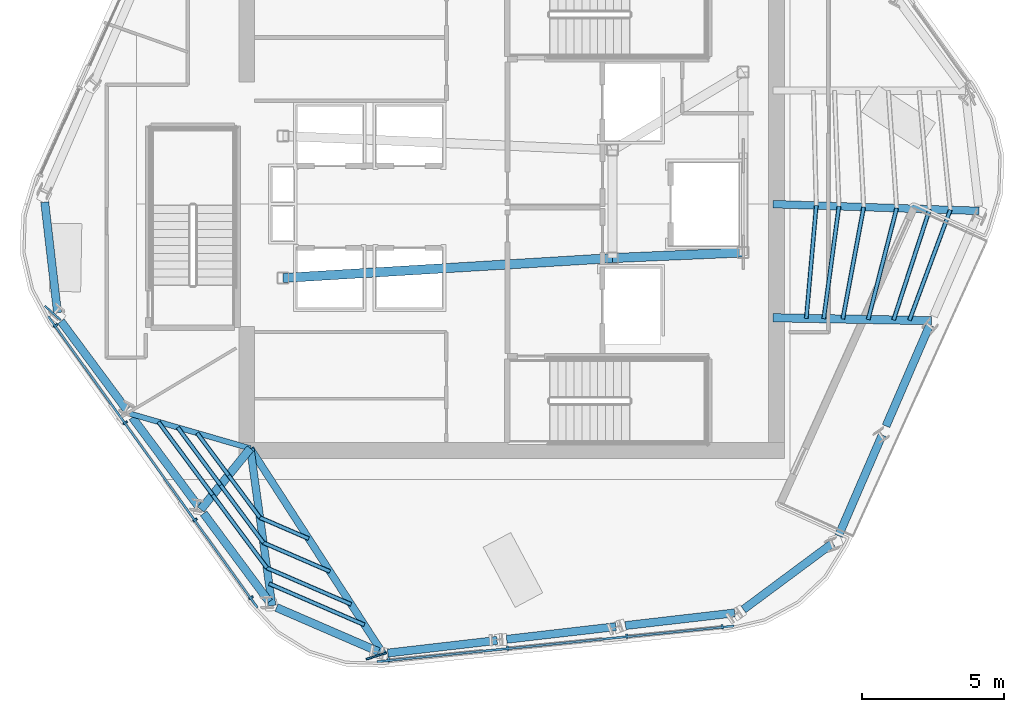
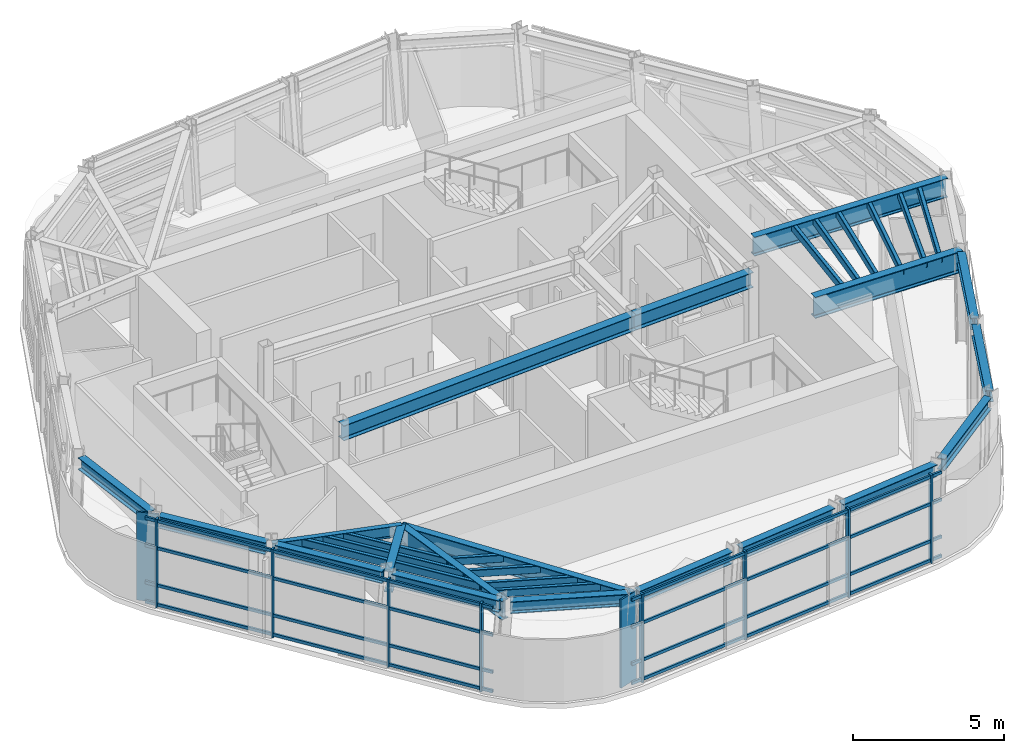
# One storey, part 2 of 12: 34 members, 19 beams, 2 elements without a shape of their own.
"""IFC4 building model written with IfcOpenShell, lengths in metres."""

import ifcopenshell
import ifcopenshell.guid

model = None  # the IFC model being written
_history = None  # IfcOwnerHistory: only IFC2X3 demands one
_inside = {}  # id of a spatial element -> (the spatial element, [elements in it])
_under = {}  # id of a project, library or spatial element -> (it, [spatial elements below it])
_declared = {}  # id of a project -> (the project, [libraries it declares])
_typed = {}  # id of a type object -> (the type object, [elements of that type])
_made_of = {}  # id of a material, layer set ... -> (it, [elements and type objects made of it])


def new_model(schema):
    """Start an empty IFC model of exactly this schema.

    Asked for "IFC4X3", IfcOpenShell would pick the latest addendum, in which some entities
    have other attributes; the version numbers below select the first issue.
    IFC2X3 requires an IfcOwnerHistory on every rooted entity: one is made here for all.
    """
    global model, _history
    if schema == "IFC4X3":
        model = ifcopenshell.file(schema_version=(4, 3, 0, 0))
    else:
        model = ifcopenshell.file(schema=schema)
    _inside.clear()
    _under.clear()
    _declared.clear()
    _typed.clear()
    _made_of.clear()
    _history = None
    if model.schema == "IFC2X3":
        org = make("IfcOrganization", Name="unknown")
        user = make(
            "IfcPersonAndOrganization",
            ThePerson=make("IfcPerson", FamilyName="unknown"),
            TheOrganization=org,
        )
        app = make(
            "IfcApplication",
            ApplicationDeveloper=org,
            Version="unknown",
            ApplicationFullName="unknown",
            ApplicationIdentifier="unknown",
        )
        _history = make(
            "IfcOwnerHistory",
            OwningUser=user,
            OwningApplication=app,
            ChangeAction="ADDED",
            CreationDate=0,
        )
    return model


def make(cls, **values):
    """One entity of the class cls with the attributes given. An attribute that is None is left unset."""
    return model.create_entity(
        cls, **{name: value for name, value in values.items() if value is not None}
    )


def rooted(cls, **values):
    """An entity with a GlobalId (a new one), such as an element, a storey or a relation."""
    return make(cls, GlobalId=ifcopenshell.guid.new(), OwnerHistory=_history, **values)


def si_unit(unit_type, name, prefix=None):
    """IfcSIUnit, for example si_unit("LENGTHUNIT", "METRE", prefix="MILLI")."""
    return make("IfcSIUnit", UnitType=unit_type, Prefix=prefix, Name=name)


def assignment(units):
    """IfcUnitAssignment: the units of a project."""
    return None if units is None else make("IfcUnitAssignment", Units=units)


def point(xyz):
    """IfcCartesianPoint."""
    return None if xyz is None else make("IfcCartesianPoint", Coordinates=xyz)


def direction(xyz):
    """IfcDirection."""
    return None if xyz is None else make("IfcDirection", DirectionRatios=xyz)


def frame(location, z_axis=None, x_axis=None):
    """IfcAxis2Placement3D, a coordinate frame: its origin and axes. An axis left out is left unset."""
    return make(
        "IfcAxis2Placement3D",
        Location=point(location),
        Axis=direction(z_axis),
        RefDirection=direction(x_axis),
    )


def frame_2d(location, x_axis=None):
    """IfcAxis2Placement2D, a coordinate frame in the plane: its origin and x axis."""
    return make(
        "IfcAxis2Placement2D", Location=point(location), RefDirection=direction(x_axis)
    )


def origin():
    """The frame at (0, 0, 0) with its axes left unset."""
    return frame((0.0, 0.0, 0.0))


def origin_2d():
    """The frame at (0, 0) in the plane with its x axis left unset."""
    return frame_2d((0.0, 0.0))


def place(relative_to, where):
    """IfcLocalPlacement: puts the frame where relative to a parent placement (None: the world)."""
    return make(
        "IfcLocalPlacement", PlacementRelTo=relative_to, RelativePlacement=where
    )


def context(
    kind, dimensions, precision=None, world=None, true_north=None, identifier=None
):
    """IfcGeometricRepresentationContext, for example the 3D "Model" context."""
    return make(
        "IfcGeometricRepresentationContext",
        ContextIdentifier=identifier,
        ContextType=kind,
        CoordinateSpaceDimension=dimensions,
        Precision=precision,
        WorldCoordinateSystem=world,
        TrueNorth=true_north,
    )


def subcontext(parent, identifier, kind, view, scale=None):
    """IfcGeometricRepresentationSubContext, for example "Body" below "Model"."""
    return make(
        "IfcGeometricRepresentationSubContext",
        ContextIdentifier=identifier,
        ContextType=kind,
        ParentContext=parent,
        TargetScale=scale,
        TargetView=view,
    )


def project(units=None, contexts=None):
    """IfcProject with its units and contexts."""
    return rooted(
        "IfcProject",
        Name="project",
        RepresentationContexts=contexts,
        UnitsInContext=assignment(units),
    )


def spatial(cls, under=None, at=None, **own):
    """A site, building, storey or space (cls), placed at a placement, below another one or the project."""
    s = rooted(cls, ObjectPlacement=at, **own)
    if under is not None:
        _under.setdefault(under.id(), (under, []))[1].append(s)
    return s


def profile(cls, at=None, kind="AREA", **sizes):
    """A parametric profile (cls). Its sizes go by their IFC names, for example OverallWidth=200.0."""
    return make(cls, ProfileType=kind, Position=at, **sizes)


def rectangle(**sizes):
    """IfcRectangleProfileDef."""
    return profile("IfcRectangleProfileDef", **sizes)


def hollow_rectangle(**sizes):
    """IfcRectangleHollowProfileDef."""
    return profile("IfcRectangleHollowProfileDef", **sizes)


def i_section(**sizes):
    """IfcIShapeProfileDef."""
    return profile("IfcIShapeProfileDef", **sizes)


def extrude(swept, where, along, depth):
    """IfcExtrudedAreaSolid: the profile swept, set in the frame where, extruded along a direction by depth."""
    return make(
        "IfcExtrudedAreaSolid",
        SweptArea=swept,
        Position=where,
        ExtrudedDirection=direction(along),
        Depth=depth,
    )


def shape(context_of_items, identifier, shape_type, items):
    """IfcShapeRepresentation: the items that make up one representation, for example the "Body"."""
    return make(
        "IfcShapeRepresentation",
        ContextOfItems=context_of_items,
        RepresentationIdentifier=identifier,
        RepresentationType=shape_type,
        Items=items,
    )


def material(Name=None, Category=None):
    """IfcMaterial."""
    return make("IfcMaterial", Name=Name, Category=Category)


def layer(
    of_material, thickness, ventilated=None, Name=None, Category=None, Priority=None
):
    """IfcMaterialLayer: one layer of a wall or slab, of a material (None: an air gap)."""
    return make(
        "IfcMaterialLayer",
        Material=of_material,
        LayerThickness=thickness,
        IsVentilated=ventilated,
        Name=Name,
        Category=Category,
        Priority=Priority,
    )


def layer_set(layers, Name=None):
    """IfcMaterialLayerSet."""
    return make("IfcMaterialLayerSet", MaterialLayers=layers, LayerSetName=Name)


def material_profile(
    of_material, cross_section, Name=None, Category=None, Priority=None
):
    """IfcMaterialProfile: a cross section and its material."""
    return make(
        "IfcMaterialProfile",
        Name=Name,
        Material=of_material,
        Profile=cross_section,
        Priority=Priority,
        Category=Category,
    )


def profile_set(profiles, Name=None, composite=None):
    """IfcMaterialProfileSet."""
    return make(
        "IfcMaterialProfileSet",
        Name=Name,
        MaterialProfiles=profiles,
        CompositeProfile=composite,
    )


def made_of(thing, what):
    """Note that an element or type object is made of a material, layer set ...; save() writes the relation."""
    if what is not None:
        _made_of.setdefault(what.id(), (what, []))[1].append(thing)
    return thing


def type_object(cls, material=None, **own):
    """A type object (cls), such as IfcWallType, which elements share."""
    return made_of(rooted(cls, **own), material)


def element(
    cls,
    number,
    at=None,
    inside=None,
    cuts=None,
    type_object=None,
    material=None,
    context=None,
    identifier="Body",
    shape_type=None,
    held_by="IfcProductDefinitionShape",
    body=None,
    shapes=None,
    **own,
):
    """One element of the class cls, such as IfcWall. Its Tag is "e" and its number.

    at: its placement. inside: the storey or other place that contains it. cuts: it is an
    opening in that element (IfcRelVoidsElement). A single representation is given by context,
    identifier, shape_type and body (its items); several are given by shapes. held_by: the class
    of the entity that holds the representations. save() writes the other relations.
    """
    e = rooted(cls, Tag="e%d" % number, ObjectPlacement=at, **own)
    if body is not None:
        shapes = [shape(context, identifier, shape_type, body)]
    if shapes is not None:
        e.Representation = make(held_by, Representations=shapes)
    if inside is not None:
        _inside.setdefault(inside.id(), (inside, []))[1].append(e)
    if cuts is not None:
        rooted(
            "IfcRelVoidsElement", RelatingBuildingElement=cuts, RelatedOpeningElement=e
        )
    if type_object is not None:
        _typed.setdefault(type_object.id(), (type_object, []))[1].append(e)
    return made_of(e, material)


def aggregate(whole, parts):
    """IfcRelAggregates: a whole, such as a stair, and the parts it consists of."""
    return rooted("IfcRelAggregates", RelatingObject=whole, RelatedObjects=parts)


def save(model, path):
    """Write the relations noted so far, then the file.

    IfcRelAggregates (storeys below a building ...), IfcRelContainedInSpatialStructure (elements
    in a storey), IfcRelDefinesByType, IfcRelAssociatesMaterial and IfcRelDeclares: one each for
    every whole, place, type object, material and project.
    """
    for whole, parts in _under.values():
        aggregate(whole, parts)
    for where, things in _inside.values():
        rooted(
            "IfcRelContainedInSpatialStructure",
            RelatedElements=things,
            RelatingStructure=where,
        )
    for kind, things in _typed.values():
        rooted("IfcRelDefinesByType", RelatedObjects=things, RelatingType=kind)
    for what, things in _made_of.values():
        rooted("IfcRelAssociatesMaterial", RelatedObjects=things, RelatingMaterial=what)
    for by, libraries in _declared.values():
        rooted("IfcRelDeclares", RelatingContext=by, RelatedDefinitions=libraries)
    model.write(path)


model = new_model("IFC4")

# Units and contexts
model_context = context("Model", 3, precision=1e-05, world=origin(), true_north=direction((0.0, 1.0)))
body_context = subcontext(model_context, "Body", "Model", "MODEL_VIEW")
ifc_project = project(units=[si_unit("LENGTHUNIT", "METRE"), si_unit("AREAUNIT", "SQUARE_METRE"), si_unit("VOLUMEUNIT", "CUBIC_METRE"), si_unit("PLANEANGLEUNIT", "RADIAN"), si_unit("MASSUNIT", "GRAM", prefix="KILO")], contexts=[model_context])

# Site, building, storey
site_placement = place(None, origin())
site = spatial("IfcSite", under=ifc_project, at=site_placement, CompositionType="ELEMENT")
building_placement = place(site_placement, origin())
building = spatial("IfcBuilding", under=site, at=building_placement, Name="Valkerne Bourse Tower", CompositionType="ELEMENT")
storey_placement = place(building_placement, frame((0.0, 0.0, 307.800048828125)))
storey = spatial("IfcBuildingStorey", under=building, at=storey_placement, Name="L78", CompositionType="ELEMENT", Elevation=307.800048828125)

# Beams
ifc_material_1 = material(Name="Steel ASTM A992", Category="steel")
ifc_material_profile_1 = material_profile(ifc_material_1, i_section(OverallWidth=0.284423828125, OverallDepth=0.47509765625, WebThickness=0.014892578125, FlangeThickness=0.02392578125, FilletRadius=0.017822265625, at=origin_2d()), Name="W18X106")
ifc_profile_set_1 = profile_set([ifc_material_profile_1], Name="Steel ASTM A992")
beam_type_1 = type_object("IfcBeamType", Name="BM-W18X106", PredefinedType="BEAM", material=ifc_profile_set_1)
beam_1_placement = place(storey_placement, frame((30.361572265625, 27.06884765625, 3.342529296875), z_axis=(0.114974356036, -0.993368460066, 0.0), x_axis=(0.993368460066, 0.114974356036, 0.0)))
element("IfcBeam", 1, at=beam_1_placement, inside=storey, type_object=beam_type_1, Name="L78 Hexagonal Spandrel Ring Beam 07", PredefinedType="BEAM", context=body_context, shape_type="SweptSolid", body=[
    extrude(i_section(OverallWidth=0.284423828125, OverallDepth=0.47509765625, WebThickness=0.014892578125, FlangeThickness=0.02392578125, FilletRadius=0.017822265625, at=origin_2d()), origin(), (0.0, 0.0, 1.0), 3.91552734375),
])
beam_2_placement = place(storey_placement, frame((30.9326171875, 22.873779296875, 3.342529296875), z_axis=(0.596240412331, -0.802805935892, 0.0), x_axis=(0.802805935892, 0.596240412331, 0.0)))
element("IfcBeam", 2, at=beam_2_placement, inside=storey, type_object=beam_type_1, Name="L78 Hexagonal Spandrel Ring Beam 08", PredefinedType="BEAM", context=body_context, shape_type="SweptSolid", body=[
    extrude(i_section(OverallWidth=0.284423828125, OverallDepth=0.47509765625, WebThickness=0.014892578125, FlangeThickness=0.02392578125, FilletRadius=0.017822265625, at=origin_2d()), origin(), (0.0, 0.0, 1.0), 3.871826171875),
])
beam_3_placement = place(storey_placement, frame((33.44384765625, 19.492431640625, 3.342529296875), z_axis=(0.596210231582, -0.80282835012, 0.0), x_axis=(0.80282835012, 0.596210231582, 0.0)))
element("IfcBeam", 3, at=beam_3_placement, inside=storey, type_object=beam_type_1, Name="L78 Hexagonal Spandrel Ring Beam 09", PredefinedType="BEAM", context=body_context, shape_type="SweptSolid", body=[
    extrude(i_section(OverallWidth=0.284423828125, OverallDepth=0.47509765625, WebThickness=0.014892578125, FlangeThickness=0.02392578125, FilletRadius=0.017822265625, at=origin_2d()), origin(), (0.0, 0.0, 1.0), 3.8720703125),
])
beam_4_placement = place(storey_placement, frame((35.955078125, 16.11083984375, 3.342529296875), z_axis=(0.596240412331, -0.802805935892, 0.0), x_axis=(0.802805935892, 0.596240412331, 0.0)))
element("IfcBeam", 4, at=beam_4_placement, inside=storey, type_object=beam_type_1, Name="L78 Hexagonal Spandrel Ring Beam 10", PredefinedType="BEAM", context=body_context, shape_type="SweptSolid", body=[
    extrude(i_section(OverallWidth=0.284423828125, OverallDepth=0.47509765625, WebThickness=0.014892578125, FlangeThickness=0.02392578125, FilletRadius=0.017822265625, at=origin_2d()), origin(), (0.0, 0.0, 1.0), 3.871826171875),
])
beam_5_placement = place(storey_placement, frame((38.52099609375, 12.79833984375, 3.342529296875), z_axis=(0.917775368297, -0.397099953851, 0.0), x_axis=(0.397099953851, 0.917775368297, 0.0)))
element("IfcBeam", 5, at=beam_5_placement, inside=storey, type_object=beam_type_1, Name="L78 Hexagonal Spandrel Ring Beam 11", PredefinedType="BEAM", context=body_context, shape_type="SweptSolid", body=[
    extrude(i_section(OverallWidth=0.284423828125, OverallDepth=0.47509765625, WebThickness=0.014892578125, FlangeThickness=0.02392578125, FilletRadius=0.017822265625, at=origin_2d()), origin(), (0.0, 0.0, 1.0), 3.915771484375),
])
for number, where, z_axis, x_axis, name in (
    (6, (42.439697265625, 11.1953125, 3.342529296875), (0.993371325592, 0.11494959544, 0.0), (-0.11494959544, 0.993371325592, 0.0), "L78 Hexagonal Spandrel Ring Beam 12"),
    (7, (46.623779296875, 11.679443359375, 3.342529296875), (0.993371325592, 0.11494959544, 0.0), (-0.11494959544, 0.993371325592, 0.0), "L78 Hexagonal Spandrel Ring Beam 13"),
    (8, (50.807861328125, 12.16357421875, 3.342529296875), (0.993371325592, 0.11494959544, 0.0), (-0.11494959544, 0.993371325592, 0.0), "L78 Hexagonal Spandrel Ring Beam 14"),
):
    element("IfcBeam", number, at=place(storey_placement, frame(where, z_axis=z_axis, x_axis=x_axis)), inside=storey, type_object=beam_type_1, Name=name, PredefinedType="BEAM", context=body_context, shape_type="SweptSolid", body=[
        extrude(i_section(OverallWidth=0.284423828125, OverallDepth=0.47509765625, WebThickness=0.014892578125, FlangeThickness=0.02392578125, FilletRadius=0.017822265625, at=origin_2d()), origin(), (0.0, 0.0, 1.0), 3.871826171875),
    ])
beam_6_placement = place(storey_placement, frame((54.95947265625, 12.7294921875, 3.342529296875), z_axis=(0.802804388826, 0.596242495367, 0.0), x_axis=(-0.596242495367, 0.802804388826, 0.0)))
element("IfcBeam", 9, at=beam_6_placement, inside=storey, type_object=beam_type_1, Name="L78 Hexagonal Spandrel Ring Beam 15", PredefinedType="BEAM", context=body_context, shape_type="SweptSolid", body=[
    extrude(i_section(OverallWidth=0.284423828125, OverallDepth=0.47509765625, WebThickness=0.014892578125, FlangeThickness=0.02392578125, FilletRadius=0.017822265625, at=origin_2d()), origin(), (0.0, 0.0, 1.0), 3.915771484375),
])
for number, where, z_axis, x_axis, name in (
    (10, (58.306884765625, 15.321533203125, 3.342529296875), (0.397173863721, 0.91774338569, 0.0), (-0.91774338569, 0.397173863721, 0.0), "L78 Hexagonal Spandrel Ring Beam 16"),
    (11, (59.979736328125, 19.18701171875, 3.342529296875), (0.397173863721, 0.91774338569, 0.0), (-0.91774338569, 0.397173863721, 0.0), "L78 Hexagonal Spandrel Ring Beam 17"),
):
    element("IfcBeam", number, at=place(storey_placement, frame(where, z_axis=z_axis, x_axis=x_axis)), inside=storey, type_object=beam_type_1, Name=name, PredefinedType="BEAM", context=body_context, shape_type="SweptSolid", body=[
        extrude(i_section(OverallWidth=0.284423828125, OverallDepth=0.47509765625, WebThickness=0.014892578125, FlangeThickness=0.02392578125, FilletRadius=0.017822265625, at=origin_2d()), origin(), (0.0, 0.0, 1.0), 3.8720703125),
    ])
ifc_material_profile_2 = material_profile(ifc_material_1, i_section(OverallWidth=0.1904296875, OverallDepth=0.457275390625, WebThickness=0.009033203125, FlangeThickness=0.014404296875, FilletRadius=0.01513671875, at=origin_2d()), Name="W18X50")
ifc_profile_set_2 = profile_set([ifc_material_profile_2], Name="Steel ASTM A992")
beam_type_2 = type_object("IfcBeamType", Name="BM-W18X50", PredefinedType="JOIST", material=ifc_profile_set_2)
beam_7_placement = place(storey_placement, frame((33.342529296875, 19.62890625, 3.351318359375), z_axis=(0.96077194218, -0.277339638565, 0.0), x_axis=(0.277339638565, 0.96077194218, 0.0)))
element("IfcBeam", 12, at=beam_7_placement, inside=storey, type_object=beam_type_2, Name="L78 Radial Composite Floor Beam 09", PredefinedType="JOIST", context=body_context, shape_type="SweptSolid", body=[
    extrude(i_section(OverallWidth=0.1904296875, OverallDepth=0.457275390625, WebThickness=0.009033203125, FlangeThickness=0.014404296875, FilletRadius=0.01513671875, at=origin_2d()), origin(), (0.0, 0.0, 1.0), 4.431396484375),
])
ifc_material_profile_3 = material_profile(ifc_material_1, i_section(OverallWidth=0.3251953125, OverallDepth=0.612060546875, WebThickness=0.0126953125, FlangeThickness=0.01904296875, FilletRadius=0.020263671875, at=origin_2d()), Name="W24X104")
ifc_profile_set_3 = profile_set([ifc_material_profile_3], Name="Steel ASTM A992")
beam_type_3 = type_object("IfcBeamType", Name="BM-W24X104", PredefinedType="BEAM", material=ifc_profile_set_3)
beam_8_placement = place(storey_placement, frame((50.35009765625, 25.10009765625, 3.27392578125), z_axis=(0.999056558506, 0.043428019819, 0.0), x_axis=(-0.043428019819, 0.999056558506, 0.0)))
element("IfcBeam", 13, at=beam_8_placement, inside=storey, type_object=beam_type_3, Name="L78 Core Frame Girder CG-SE", PredefinedType="BEAM", context=body_context, shape_type="SweptSolid", body=[
    extrude(i_section(OverallWidth=0.3251953125, OverallDepth=0.612060546875, WebThickness=0.0126953125, FlangeThickness=0.01904296875, FilletRadius=0.020263671875, at=origin_2d()), origin(), (0.0, 0.0, 1.0), 4.604248046875),
])
beam_9_placement = place(storey_placement, frame((38.75, 24.39990234375, 3.27392578125), z_axis=(0.998183228389, 0.060251494276, 0.0), x_axis=(-0.060251494276, 0.998183228389, 0.0)))
element("IfcBeam", 14, at=beam_9_placement, inside=storey, type_object=beam_type_3, Name="L78 Core Frame Girder CG-SW", PredefinedType="BEAM", context=body_context, shape_type="SweptSolid", body=[
    extrude(i_section(OverallWidth=0.3251953125, OverallDepth=0.612060546875, WebThickness=0.0126953125, FlangeThickness=0.01904296875, FilletRadius=0.020263671875, at=origin_2d()), origin(), (0.0, 0.0, 1.0), 11.62109375),
])
ifc_material_profile_4 = material_profile(ifc_material_1, i_section(OverallWidth=0.255859375, OverallDepth=0.693359375, WebThickness=0.014404296875, FlangeThickness=0.023681640625, FilletRadius=0.02294921875, at=origin_2d()), Name="W27X114")
ifc_profile_set_4 = profile_set([ifc_material_profile_4], Name="Steel ASTM A992")
beam_type_4 = type_object("IfcBeamType", Name="BM-W27X114", PredefinedType="BEAM", material=ifc_profile_set_4)
beam_10_placement = place(storey_placement, frame((42.270751953125, 11.17578125, 3.233154296875), z_axis=(-0.542941758542, 0.839770353628, 0.0), x_axis=(-0.839770353628, -0.542941758542, 0.0)))
element("IfcBeam", 15, at=beam_10_placement, inside=storey, type_object=beam_type_4, Name="L78 Radial Composite Floor Beam 12", PredefinedType="BEAM", context=body_context, shape_type="SweptSolid", body=[
    extrude(i_section(OverallWidth=0.255859375, OverallDepth=0.693359375, WebThickness=0.014404296875, FlangeThickness=0.023681640625, FilletRadius=0.02294921875, at=origin_2d()), origin(), (0.0, 0.0, 1.0), 8.6025390625),
])
ifc_material_profile_5 = material_profile(ifc_material_1, i_section(OverallWidth=0.26806640625, OverallDepth=0.76953125, WebThickness=0.015625, FlangeThickness=0.025390625, FilletRadius=0.025390625, at=origin_2d()), Name="W30X132")
ifc_profile_set_5 = profile_set([ifc_material_profile_5], Name="Steel ASTM A992")
beam_type_5 = type_object("IfcBeamType", Name="BM-W30X132", PredefinedType="BEAM", material=ifc_profile_set_5)
beam_11_placement = place(storey_placement, frame((38.364990234375, 12.865966796875, 3.195068359375), z_axis=(-0.136916887703, 0.990582538642, 0.0), x_axis=(-0.990582538642, -0.136916887703, 0.0)))
element("IfcBeam", 16, at=beam_11_placement, inside=storey, type_object=beam_type_5, Name="L78 Radial Composite Floor Beam 11", PredefinedType="BEAM", context=body_context, shape_type="SweptSolid", body=[
    extrude(i_section(OverallWidth=0.26806640625, OverallDepth=0.76953125, WebThickness=0.015625, FlangeThickness=0.025390625, FilletRadius=0.025390625, at=origin_2d()), origin(), (0.0, 0.0, 1.0), 5.58642578125),
])
beam_12_placement = place(storey_placement, frame((63.2578125, 26.76220703125, 3.195068359375), z_axis=(-0.999463700914, 0.032746153279, 0.0), x_axis=(-0.032746153279, -0.999463700914, 0.0)))
element("IfcBeam", 17, at=beam_12_placement, inside=storey, type_object=beam_type_5, Name="L78 Radial Composite Floor Beam 19", PredefinedType="BEAM", context=body_context, shape_type="SweptSolid", body=[
    extrude(i_section(OverallWidth=0.26806640625, OverallDepth=0.76953125, WebThickness=0.015625, FlangeThickness=0.025390625, FilletRadius=0.025390625, at=origin_2d()), origin(), (0.0, 0.0, 1.0), 7.26171875),
])
ifc_material_profile_6 = material_profile(ifc_material_1, i_section(OverallWidth=0.2919921875, OverallDepth=0.8583984375, WebThickness=0.01708984375, FlangeThickness=0.031005859375, FilletRadius=0.025390625, at=origin_2d()), Name="W33X169")
ifc_profile_set_6 = profile_set([ifc_material_profile_6], Name="Steel ASTM A992")
beam_type_6 = type_object("IfcBeamType", Name="BM-W33X169", PredefinedType="BEAM", material=ifc_profile_set_6)
beam_13_placement = place(storey_placement, frame((35.853759765625, 16.247314453125, 3.150634765625), z_axis=(0.63001880886, 0.776579873859, 0.0), x_axis=(-0.776579873859, 0.63001880886, 0.0)))
element("IfcBeam", 18, at=beam_13_placement, inside=storey, type_object=beam_type_6, Name="L78 Radial Composite Floor Beam 10", PredefinedType="BEAM", context=body_context, shape_type="SweptSolid", body=[
    extrude(i_section(OverallWidth=0.2919921875, OverallDepth=0.8583984375, WebThickness=0.01708984375, FlangeThickness=0.031005859375, FilletRadius=0.025390625, at=origin_2d()), origin(), (0.0, 0.0, 1.0), 2.77197265625),
])
beam_14_placement = place(storey_placement, frame((61.585205078125, 22.896484375, 3.150634765625), z_axis=(-0.999828291536, 0.018530716248, 0.0), x_axis=(-0.018530716248, -0.999828291536, 0.0)))
element("IfcBeam", 19, at=beam_14_placement, inside=storey, type_object=beam_type_6, Name="L78 Radial Composite Floor Beam 18", PredefinedType="BEAM", context=body_context, shape_type="SweptSolid", body=[
    extrude(i_section(OverallWidth=0.2919921875, OverallDepth=0.8583984375, WebThickness=0.01708984375, FlangeThickness=0.031005859375, FilletRadius=0.025390625, at=origin_2d()), origin(), (0.0, 0.0, 1.0), 5.586181640625),
])

# Curtain wall, members
ifc_material_2 = material(Name="Aluminium AA 6063-T6", Category="aluminium")
ifc_layer = layer(ifc_material_2, 0.2451171875)
ifc_layer_set = layer_set([ifc_layer], Name="Aluminium AA 6063-T6")
curtain_wall_type = type_object("IfcCurtainWallType", Name="CW-05", PredefinedType="NOTDEFINED", material=ifc_layer_set)
curtain_wall_1_placement = place(storey_placement, origin())
curtain_wall_1 = element("IfcCurtainWall", 20, at=curtain_wall_1_placement, inside=storey, type_object=curtain_wall_type, Name="L78 Hexagonal Stick Curtain Wall Face 3", PredefinedType="NOTDEFINED")
ifc_material_profile_7 = material_profile(ifc_material_2, rectangle(XDim=0.074951171875, YDim=0.159912109375, at=origin_2d()), Name="CWM-75X160")
ifc_profile_set_7 = profile_set([ifc_material_profile_7], Name="Aluminium AA 6063-T6")
member_type_1 = type_object("IfcMemberType", Name="CW-MUL-160X75", PredefinedType="MULLION", material=ifc_profile_set_7)
member_1_placement = place(storey_placement, frame((30.739501953125, 22.72216796875, 0.0), z_axis=(0.0, 0.0, 1.0), x_axis=(0.583555814605, -0.812073033194, 0.0)))
member_1 = element("IfcMember", 21, at=member_1_placement, type_object=member_type_1, Name="CW-L78-F3 Jamb Mullion 00A", PredefinedType="MULLION", context=body_context, shape_type="SweptSolid", body=[
    extrude(rectangle(XDim=0.074951171875, YDim=0.159912109375, at=origin_2d()), origin(), (0.0, 0.0, 1.0), 3.579833984375),
])
member_2_placement = place(storey_placement, frame((33.197509765625, 19.3017578125, 0.0), z_axis=(0.0, 0.0, 1.0), x_axis=(0.583544563646, -0.812081118016, 0.0)))
member_2 = element("IfcMember", 22, at=member_2_placement, type_object=member_type_1, Name="CW-L78-F3 Jamb Mullion 01A", PredefinedType="MULLION", context=body_context, shape_type="SweptSolid", body=[
    extrude(rectangle(XDim=0.074951171875, YDim=0.159912109375, at=origin_2d()), origin(), (0.0, 0.0, 1.0), 3.579833984375),
])
member_3_placement = place(storey_placement, frame((35.6552734375, 15.881103515625, 0.0), z_axis=(0.0, 0.0, 1.0), x_axis=(0.583544563646, -0.812081118016, 0.0)))
member_3 = element("IfcMember", 23, at=member_3_placement, type_object=member_type_1, Name="CW-L78-F3 Jamb Mullion 02A", PredefinedType="MULLION", context=body_context, shape_type="SweptSolid", body=[
    extrude(rectangle(XDim=0.074951171875, YDim=0.159912109375, at=origin_2d()), origin(), (0.0, 0.0, 1.0), 3.579833984375),
])
member_4_placement = place(storey_placement, frame((37.623046875, 13.142822265625, 0.0), z_axis=(0.0, 0.0, 1.0), x_axis=(0.583544563646, -0.812081118016, 0.0)))
member_4 = element("IfcMember", 24, at=member_4_placement, type_object=member_type_1, Name="CW-L78-F3 Jamb Mullion 02B", PredefinedType="MULLION", context=body_context, shape_type="SweptSolid", body=[
    extrude(rectangle(XDim=0.074951171875, YDim=0.159912109375, at=origin_2d()), origin(), (0.0, 0.0, 1.0), 3.579833984375),
])

curtain_wall_2_placement = place(storey_placement, origin())
curtain_wall_2 = element("IfcCurtainWall", 25, at=curtain_wall_2_placement, inside=storey, type_object=curtain_wall_type, Name="L78 Hexagonal Stick Curtain Wall Face 4", PredefinedType="NOTDEFINED")
member_5_placement = place(storey_placement, frame((42.474609375, 10.952392578125, 0.0), z_axis=(0.0, 0.0, 1.0), x_axis=(0.995056212706, 0.099313310059, 0.0)))
member_5 = element("IfcMember", 26, at=member_5_placement, type_object=member_type_1, Name="CW-L78-F4 Jamb Mullion 00A", PredefinedType="MULLION", context=body_context, shape_type="SweptSolid", body=[
    extrude(rectangle(XDim=0.074951171875, YDim=0.159912109375, at=origin_2d()), origin(), (0.0, 0.0, 1.0), 3.579833984375),
])
member_6_placement = place(storey_placement, frame((46.66552734375, 11.37060546875, 0.0), z_axis=(0.0, 0.0, 1.0), x_axis=(0.995054100457, 0.099334471179, 0.0)))
member_6 = element("IfcMember", 27, at=member_6_placement, type_object=member_type_1, Name="CW-L78-F4 Jamb Mullion 01A", PredefinedType="MULLION", context=body_context, shape_type="SweptSolid", body=[
    extrude(rectangle(XDim=0.074951171875, YDim=0.159912109375, at=origin_2d()), origin(), (0.0, 0.0, 1.0), 3.579833984375),
])
member_7_placement = place(storey_placement, frame((50.856689453125, 11.7890625, 0.0), z_axis=(0.0, 0.0, 1.0), x_axis=(0.995056446869, 0.099310963863, 0.0)))
member_7 = element("IfcMember", 28, at=member_7_placement, type_object=member_type_1, Name="CW-L78-F4 Jamb Mullion 02A", PredefinedType="MULLION", context=body_context, shape_type="SweptSolid", body=[
    extrude(rectangle(XDim=0.074951171875, YDim=0.159912109375, at=origin_2d()), origin(), (0.0, 0.0, 1.0), 3.579833984375),
])
member_8_placement = place(storey_placement, frame((54.212158203125, 12.123779296875, 0.0), z_axis=(0.0, 0.0, 1.0), x_axis=(0.995056446869, 0.099310963863, 0.0)))
member_8 = element("IfcMember", 29, at=member_8_placement, type_object=member_type_1, Name="CW-L78-F4 Jamb Mullion 02B", PredefinedType="MULLION", context=body_context, shape_type="SweptSolid", body=[
    extrude(rectangle(XDim=0.074951171875, YDim=0.159912109375, at=origin_2d()), origin(), (0.0, 0.0, 1.0), 3.579833984375),
])

# Member
ifc_material_profile_8 = material_profile(ifc_material_2, rectangle(XDim=0.074951171875, YDim=0.1201171875, at=origin_2d()), Name="CWT-75X120")
ifc_profile_set_8 = profile_set([ifc_material_profile_8], Name="Aluminium AA 6063-T6")
member_type_2 = type_object("IfcMemberType", Name="CW-TRN-120X75", PredefinedType="USERDEFINED", material=ifc_profile_set_8)
member_9_placement = place(storey_placement, frame((30.478271484375, 23.051513671875, 0.119873046875), z_axis=(0.583536912572, -0.812086615864, 0.0), x_axis=(0.812086615864, 0.583536912572, 0.0)))
member_9 = element("IfcMember", 30, at=member_9_placement, type_object=member_type_2, Name="CW-L78-F3 Continuous Face Transom 1", ObjectType="TRANSOM", PredefinedType="USERDEFINED", context=body_context, shape_type="SweptSolid", body=[
    extrude(rectangle(XDim=0.074951171875, YDim=0.1201171875, at=origin_2d()), origin(), (0.0, 0.0, 1.0), 12.635986328125),
])

member_10_placement = place(storey_placement, frame((30.478271484375, 23.051513671875, 0.89990234375), z_axis=(0.583536912572, -0.812086615864, 0.0), x_axis=(0.812086615864, 0.583536912572, 0.0)))
member_10 = element("IfcMember", 31, at=member_10_placement, type_object=member_type_2, Name="CW-L78-F3 Continuous Face Transom 2", ObjectType="TRANSOM", PredefinedType="USERDEFINED", context=body_context, shape_type="SweptSolid", body=[
    extrude(rectangle(XDim=0.074951171875, YDim=0.1201171875, at=origin_2d()), origin(), (0.0, 0.0, 1.0), 12.635986328125),
])

member_11_placement = place(storey_placement, frame((30.478271484375, 23.051513671875, 2.39990234375), z_axis=(0.583536912572, -0.812086615864, 0.0), x_axis=(0.812086615864, 0.583536912572, 0.0)))
member_11 = element("IfcMember", 32, at=member_11_placement, type_object=member_type_2, Name="CW-L78-F3 Continuous Face Transom 3", ObjectType="TRANSOM", PredefinedType="USERDEFINED", context=body_context, shape_type="SweptSolid", body=[
    extrude(rectangle(XDim=0.074951171875, YDim=0.1201171875, at=origin_2d()), origin(), (0.0, 0.0, 1.0), 12.635986328125),
])

member_12_placement = place(storey_placement, frame((30.478271484375, 23.051513671875, 3.5), z_axis=(0.583536912572, -0.812086615864, 0.0), x_axis=(0.812086615864, 0.583536912572, 0.0)))
member_12 = element("IfcMember", 33, at=member_12_placement, type_object=member_type_2, Name="CW-L78-F3 Continuous Face Transom 4", ObjectType="TRANSOM", PredefinedType="USERDEFINED", context=body_context, shape_type="SweptSolid", body=[
    extrude(rectangle(XDim=0.074951171875, YDim=0.1201171875, at=origin_2d()), origin(), (0.0, 0.0, 1.0), 12.635986328125),
])

aggregate(curtain_wall_1, [member_9, member_10, member_11, member_12, member_1, member_2, member_3, member_4])

member_13_placement = place(storey_placement, frame((42.05859375, 10.890625, 0.119873046875), z_axis=(0.995054583078, 0.099329636543, 0.0), x_axis=(-0.099329636543, 0.995054583078, 0.0)))
member_13 = element("IfcMember", 34, at=member_13_placement, type_object=member_type_2, Name="CW-L78-F4 Continuous Face Transom 1", ObjectType="TRANSOM", PredefinedType="USERDEFINED", context=body_context, shape_type="SweptSolid", body=[
    extrude(rectangle(XDim=0.074951171875, YDim=0.1201171875, at=origin_2d()), origin(), (0.0, 0.0, 1.0), 12.635986328125),
])

member_14_placement = place(storey_placement, frame((42.05859375, 10.890625, 0.89990234375), z_axis=(0.995054583078, 0.099329636543, 0.0), x_axis=(-0.099329636543, 0.995054583078, 0.0)))
member_14 = element("IfcMember", 35, at=member_14_placement, type_object=member_type_2, Name="CW-L78-F4 Continuous Face Transom 2", ObjectType="TRANSOM", PredefinedType="USERDEFINED", context=body_context, shape_type="SweptSolid", body=[
    extrude(rectangle(XDim=0.074951171875, YDim=0.1201171875, at=origin_2d()), origin(), (0.0, 0.0, 1.0), 12.635986328125),
])

member_15_placement = place(storey_placement, frame((42.05859375, 10.890625, 2.39990234375), z_axis=(0.995054583078, 0.099329636543, 0.0), x_axis=(-0.099329636543, 0.995054583078, 0.0)))
member_15 = element("IfcMember", 36, at=member_15_placement, type_object=member_type_2, Name="CW-L78-F4 Continuous Face Transom 3", ObjectType="TRANSOM", PredefinedType="USERDEFINED", context=body_context, shape_type="SweptSolid", body=[
    extrude(rectangle(XDim=0.074951171875, YDim=0.1201171875, at=origin_2d()), origin(), (0.0, 0.0, 1.0), 12.635986328125),
])

member_16_placement = place(storey_placement, frame((42.05859375, 10.890625, 3.5), z_axis=(0.995054583078, 0.099329636543, 0.0), x_axis=(-0.099329636543, 0.995054583078, 0.0)))
member_16 = element("IfcMember", 37, at=member_16_placement, type_object=member_type_2, Name="CW-L78-F4 Continuous Face Transom 4", ObjectType="TRANSOM", PredefinedType="USERDEFINED", context=body_context, shape_type="SweptSolid", body=[
    extrude(rectangle(XDim=0.074951171875, YDim=0.1201171875, at=origin_2d()), origin(), (0.0, 0.0, 1.0), 12.635986328125),
])

aggregate(curtain_wall_2, [member_13, member_14, member_15, member_16, member_5, member_6, member_7, member_8])

# Members
ifc_material_3 = material(Name="Bronze Anodised Aluminium AA 6063-T6", Category="aluminium")
ifc_material_profile_9 = material_profile(ifc_material_3, rectangle(XDim=0.06494140625, YDim=0.75, at=origin_2d()), Name="FIN-65X750")
ifc_profile_set_9 = profile_set([ifc_material_profile_9], Name="Bronze Anodised Aluminium AA 6063-T6")
member_type_3 = type_object("IfcMemberType", Name="FIN-SOLAR-650", PredefinedType="USERDEFINED", material=ifc_profile_set_9)
for number, where, z_axis, x_axis, name in (
    (38, (30.640625, 23.168212890625, 0.00390625), (0.0, 0.0, 1.0), (-0.667289535439, -0.744798412924, 0.0), "L78 Bronze Anodised Solar Fin F3-00"),
    (39, (42.038818359375, 11.089599609375, 0.00390625), (0.0, 0.0, 1.0), (0.300386673344, -0.953817512146, 0.0), "L78 Bronze Anodised Solar Fin F4-00"),
):
    element("IfcMember", number, at=place(storey_placement, frame(where, z_axis=z_axis, x_axis=x_axis)), inside=storey, type_object=member_type_3, Name=name, ObjectType="SOLAR_FIN", PredefinedType="USERDEFINED", context=body_context, shape_type="SweptSolid", body=[
        extrude(rectangle(XDim=0.06494140625, YDim=0.75, at=origin_2d()), origin(), (0.0, 0.0, 1.0), 3.572021484375),
    ])
ifc_material_4 = material(Name="Steel ASTM A500 Grade C", Category="steel")
ifc_material_profile_10 = material_profile(ifc_material_4, hollow_rectangle(XDim=0.14990234375, YDim=0.300048828125, WallThickness=0.012451171875, OuterFilletRadius=0.02490234375, at=origin_2d()), Name="HSS300X150X12.5")
ifc_profile_set_10 = profile_set([ifc_material_profile_10], Name="Steel ASTM A500 Grade C")
member_type_4 = type_object("IfcMemberType", Name="MBR-HSS300X150X12.5", PredefinedType="PURLIN", material=ifc_profile_set_10)
member_17_placement = place(storey_placement, frame((57.787109375, 22.966796875, 3.419921875), z_axis=(0.134081798912, 0.990970267566, 0.0), x_axis=(-0.990970267566, 0.134081798912, 0.0)))
element("IfcMember", 40, at=member_17_placement, inside=storey, type_object=member_type_4, Name="L78 Secondary Composite Floor Purlin I-18", PredefinedType="PURLIN", context=body_context, shape_type="SweptSolid", body=[
    extrude(hollow_rectangle(XDim=0.14990234375, YDim=0.300048828125, WallThickness=0.012451171875, OuterFilletRadius=0.02490234375, at=origin_2d()), origin(), (0.0, 0.0, 1.0), 3.9931640625),
])
member_18_placement = place(storey_placement, frame((35.726806640625, 18.940673828125, 3.419921875), z_axis=(0.596241532649, -0.802805103836, 0.0), x_axis=(0.802805103836, 0.596241532649, 0.0)))
element("IfcMember", 41, at=member_18_placement, inside=storey, type_object=member_type_4, Name="L78 Secondary Composite Floor Purlin K-09", PredefinedType="PURLIN", context=body_context, shape_type="SweptSolid", body=[
    extrude(hollow_rectangle(XDim=0.14990234375, YDim=0.300048828125, WallThickness=0.012451171875, OuterFilletRadius=0.02490234375, at=origin_2d()), origin(), (0.0, 0.0, 1.0), 1.853271484375),
])
member_19_placement = place(storey_placement, frame((36.831787109375, 17.452880859375, 3.419921875), z_axis=(0.596156618689, -0.802868162274, 0.0), x_axis=(0.802868162274, 0.596156618689, 0.0)))
element("IfcMember", 42, at=member_19_placement, inside=storey, type_object=member_type_4, Name="L78 Secondary Composite Floor Purlin K-10", PredefinedType="PURLIN", context=body_context, shape_type="SweptSolid", body=[
    extrude(hollow_rectangle(XDim=0.14990234375, YDim=0.300048828125, WallThickness=0.012451171875, OuterFilletRadius=0.02490234375, at=origin_2d()), origin(), (0.0, 0.0, 1.0), 1.85302734375),
])
member_20_placement = place(storey_placement, frame((37.9365234375, 15.965087890625, 3.419921875), z_axis=(0.917777434012, -0.397095179546, 0.0), x_axis=(0.397095179546, 0.917777434012, 0.0)))
element("IfcMember", 43, at=member_20_placement, inside=storey, type_object=member_type_4, Name="L78 Secondary Composite Floor Purlin K-11", PredefinedType="PURLIN", context=body_context, shape_type="SweptSolid", body=[
    extrude(hollow_rectangle(XDim=0.14990234375, YDim=0.300048828125, WallThickness=0.012451171875, OuterFilletRadius=0.02490234375, at=origin_2d()), origin(), (0.0, 0.0, 1.0), 1.872802734375),
])
member_21_placement = place(storey_placement, frame((58.45751953125, 22.95458984375, 3.419921875), z_axis=(0.18360460508, 0.983000177514, 0.0), x_axis=(-0.983000177514, 0.18360460508, 0.0)))
element("IfcMember", 44, at=member_21_placement, inside=storey, type_object=member_type_4, Name="L78 Secondary Composite Floor Purlin K-18", PredefinedType="PURLIN", context=body_context, shape_type="SweptSolid", body=[
    extrude(hollow_rectangle(XDim=0.14990234375, YDim=0.300048828125, WallThickness=0.012451171875, OuterFilletRadius=0.02490234375, at=origin_2d()), origin(), (0.0, 0.0, 1.0), 4.009033203125),
])
member_22_placement = place(storey_placement, frame((34.3642578125, 19.333984375, 3.419921875), z_axis=(0.596222901205, -0.802818941031, 0.0), x_axis=(0.802818941031, 0.596222901205, 0.0)))
element("IfcMember", 45, at=member_22_placement, inside=storey, type_object=member_type_4, Name="L78 Secondary Composite Floor Purlin O-09", PredefinedType="PURLIN", context=body_context, shape_type="SweptSolid", body=[
    extrude(hollow_rectangle(XDim=0.14990234375, YDim=0.300048828125, WallThickness=0.012451171875, OuterFilletRadius=0.02490234375, at=origin_2d()), origin(), (0.0, 0.0, 1.0), 3.201416015625),
])
member_23_placement = place(storey_placement, frame((36.27294921875, 16.763916015625, 3.419921875), z_axis=(0.596210250886, -0.802828335784, 0.0), x_axis=(0.802828335784, 0.596210250886, 0.0)))
element("IfcMember", 46, at=member_23_placement, inside=storey, type_object=member_type_4, Name="L78 Secondary Composite Floor Purlin O-10", PredefinedType="PURLIN", context=body_context, shape_type="SweptSolid", body=[
    extrude(hollow_rectangle(XDim=0.14990234375, YDim=0.300048828125, WallThickness=0.012451171875, OuterFilletRadius=0.02490234375, at=origin_2d()), origin(), (0.0, 0.0, 1.0), 3.200927734375),
])
member_24_placement = place(storey_placement, frame((38.181396484375, 14.194091796875, 3.419921875), z_axis=(0.917773034133, -0.397105348513, 0.0), x_axis=(0.397105348513, 0.917773034133, 0.0)))
element("IfcMember", 47, at=member_24_placement, inside=storey, type_object=member_type_4, Name="L78 Secondary Composite Floor Purlin O-11", PredefinedType="PURLIN", context=body_context, shape_type="SweptSolid", body=[
    extrude(hollow_rectangle(XDim=0.14990234375, YDim=0.300048828125, WallThickness=0.012451171875, OuterFilletRadius=0.02490234375, at=origin_2d()), origin(), (0.0, 0.0, 1.0), 3.234375),
])
member_25_placement = place(storey_placement, frame((60.24462890625, 22.92138671875, 3.419921875), z_axis=(0.310111862177, 0.950700075175, 0.0), x_axis=(-0.950700075175, 0.310111862177, 0.0)))
element("IfcMember", 48, at=member_25_placement, inside=storey, type_object=member_type_4, Name="L78 Secondary Composite Floor Purlin O-18", PredefinedType="PURLIN", context=body_context, shape_type="SweptSolid", body=[
    extrude(hollow_rectangle(XDim=0.14990234375, YDim=0.300048828125, WallThickness=0.012451171875, OuterFilletRadius=0.02490234375, at=origin_2d()), origin(), (0.0, 0.0, 1.0), 4.10009765625),
])
for number, where, z_axis, x_axis, name in (
    (49, (35.04541015625, 19.13720703125, 3.419921875), (0.596252852998, -0.802796696114, 0.0), (0.802796696114, 0.596252852998, 0.0), "L78 Secondary Composite Floor Purlin Z-09"),
    (50, (36.55224609375, 17.1083984375, 3.419921875), (0.596252852998, -0.802796696114, 0.0), (0.802796696114, 0.596252852998, 0.0), "L78 Secondary Composite Floor Purlin Z-10"),
):
    element("IfcMember", number, at=place(storey_placement, frame(where, z_axis=z_axis, x_axis=x_axis)), inside=storey, type_object=member_type_4, Name=name, PredefinedType="PURLIN", context=body_context, shape_type="SweptSolid", body=[
        extrude(hollow_rectangle(XDim=0.14990234375, YDim=0.300048828125, WallThickness=0.012451171875, OuterFilletRadius=0.02490234375, at=origin_2d()), origin(), (0.0, 0.0, 1.0), 2.527099609375),
    ])
member_26_placement = place(storey_placement, frame((38.05908203125, 15.07958984375, 3.419921875), z_axis=(0.917749685114, -0.397159307424, 0.0), x_axis=(0.397159307424, 0.917749685114, 0.0)))
element("IfcMember", 51, at=member_26_placement, inside=storey, type_object=member_type_4, Name="L78 Secondary Composite Floor Purlin Z-11", PredefinedType="PURLIN", context=body_context, shape_type="SweptSolid", body=[
    extrude(hollow_rectangle(XDim=0.14990234375, YDim=0.300048828125, WallThickness=0.012451171875, OuterFilletRadius=0.02490234375, at=origin_2d()), origin(), (0.0, 0.0, 1.0), 2.553466796875),
])
member_27_placement = place(storey_placement, frame((59.35107421875, 22.93798828125, 3.419921875), z_axis=(0.248069008165, 0.96874236368, 0.0), x_axis=(-0.96874236368, 0.248069008165, 0.0)))
element("IfcMember", 52, at=member_27_placement, inside=storey, type_object=member_type_4, Name="L78 Secondary Composite Floor Purlin Z-18", PredefinedType="PURLIN", context=body_context, shape_type="SweptSolid", body=[
    extrude(hollow_rectangle(XDim=0.14990234375, YDim=0.300048828125, WallThickness=0.012451171875, OuterFilletRadius=0.02490234375, at=origin_2d()), origin(), (0.0, 0.0, 1.0), 4.0458984375),
])
member_28_placement = place(storey_placement, frame((57.1728515625, 22.978271484375, 3.419921875), z_axis=(0.088106449221, 0.996111064895, 0.0), x_axis=(-0.996111064895, 0.088106449221, 0.0)))
element("IfcMember", 53, at=member_28_placement, inside=storey, type_object=member_type_4, Name="L78 Secondary Composite Floor Purlin S-18", PredefinedType="PURLIN", context=body_context, shape_type="SweptSolid", body=[
    extrude(hollow_rectangle(XDim=0.14990234375, YDim=0.300048828125, WallThickness=0.012451171875, OuterFilletRadius=0.02490234375, at=origin_2d()), origin(), (0.0, 0.0, 1.0), 3.987548828125),
])
member_29_placement = place(storey_placement, frame((38.258056640625, 13.640625, 3.419921875), z_axis=(0.917769656943, -0.39711315364, 0.0), x_axis=(0.39711315364, 0.917769656943, 0.0)))
element("IfcMember", 54, at=member_29_placement, inside=storey, type_object=member_type_4, Name="L78 Secondary Composite Floor Purlin T-11", PredefinedType="PURLIN", context=body_context, shape_type="SweptSolid", body=[
    extrude(hollow_rectangle(XDim=0.14990234375, YDim=0.300048828125, WallThickness=0.012451171875, OuterFilletRadius=0.02490234375, at=origin_2d()), origin(), (0.0, 0.0, 1.0), 3.659912109375),
])
member_30_placement = place(storey_placement, frame((60.80322265625, 22.9111328125, 3.419921875), z_axis=(0.347283640617, 0.937760136154, 0.0), x_axis=(-0.937760136154, 0.347283640617, 0.0)))
element("IfcMember", 55, at=member_30_placement, inside=storey, type_object=member_type_4, Name="L78 Secondary Composite Floor Purlin T-18", PredefinedType="PURLIN", context=body_context, shape_type="SweptSolid", body=[
    extrude(hollow_rectangle(XDim=0.14990234375, YDim=0.300048828125, WallThickness=0.012451171875, OuterFilletRadius=0.02490234375, at=origin_2d()), origin(), (0.0, 0.0, 1.0), 4.14208984375),
])

save(model, "model.ifc")
